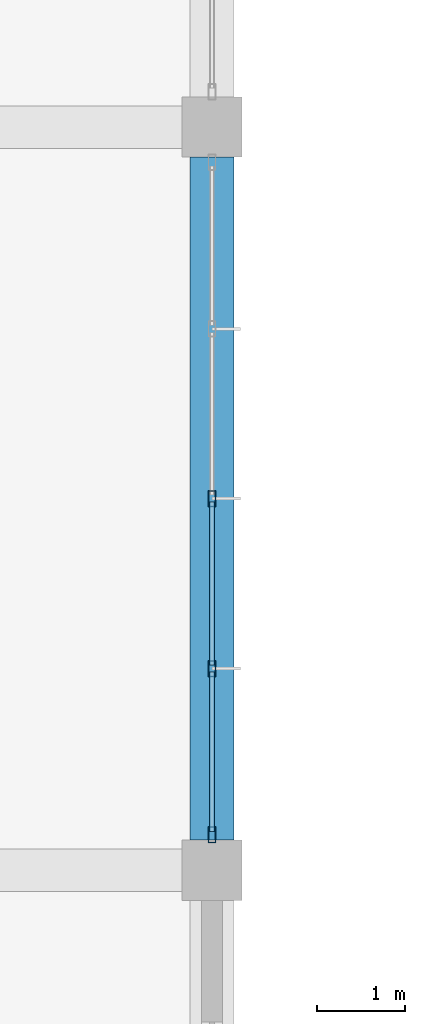
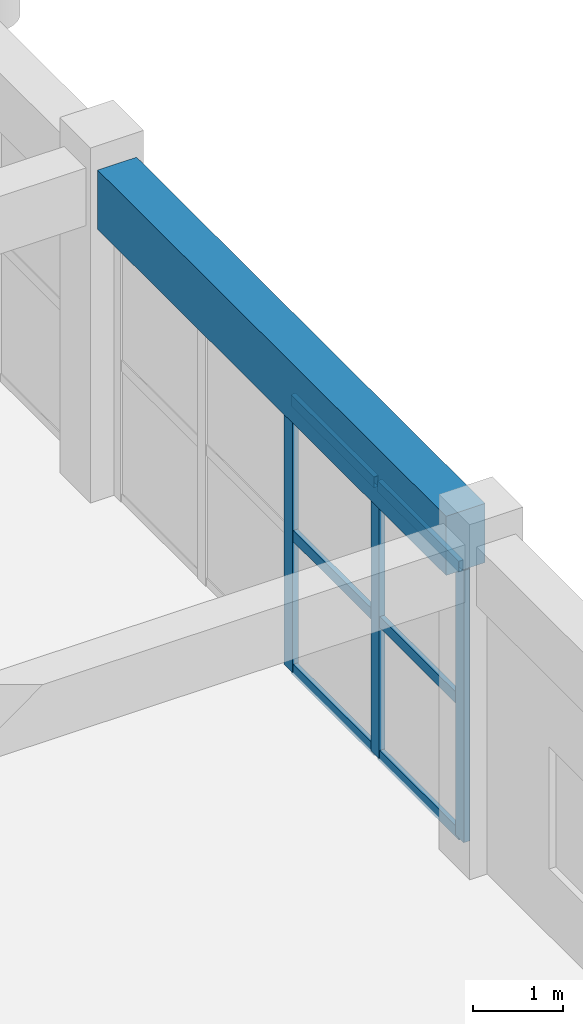
# One storey, part 98 of 175: 9 members, 1 beam, 1 element without a shape of its own.
"""IFC4 building model written with IfcOpenShell, lengths in metres."""

from ifc_helpers import new_model, si_unit, direction, frame, origin, origin_2d, place, context, subcontext, project, spatial, rectangle, hollow_rectangle, extrude, material, layer, layer_set, material_profile, profile_set, type_object, element, aggregate, save


model = new_model("IFC4")

# Units and contexts
model_context = context("Model", 3, precision=1e-05, world=origin(), true_north=direction((0.0, 1.0)))
body_context = subcontext(model_context, "Body", "Model", "MODEL_VIEW")
ifc_project = project(units=[si_unit("LENGTHUNIT", "METRE"), si_unit("AREAUNIT", "SQUARE_METRE"), si_unit("VOLUMEUNIT", "CUBIC_METRE"), si_unit("PLANEANGLEUNIT", "RADIAN"), si_unit("MASSUNIT", "GRAM", prefix="KILO")], contexts=[model_context])

# Site, building, storey
site_placement = place(None, origin())
site = spatial("IfcSite", under=ifc_project, at=site_placement, CompositionType="ELEMENT")
building_placement = place(site_placement, origin())
building = spatial("IfcBuilding", under=site, at=building_placement, Name="Zizhar Promenade General Hospital", CompositionType="ELEMENT")
storey_placement = place(building_placement, frame((0.0, 0.0, 4.800048828125)))
storey = spatial("IfcBuildingStorey", under=building, at=storey_placement, Name="L01", CompositionType="ELEMENT", Elevation=4.800048828125)

# Beam
ifc_material_1 = material(Name="Concrete C35/45", Category="concrete")
ifc_material_profile_1 = material_profile(ifc_material_1, rectangle(XDim=0.5, YDim=0.800048828125, at=origin_2d()))
ifc_profile_set_1 = profile_set([ifc_material_profile_1], Name="Concrete C35/45")
beam_type = type_object("IfcBeamType", Name="BM-RC-500x800", PredefinedType="BEAM", material=ifc_profile_set_1)
beam_placement = place(storey_placement, frame((195.0, 59.139892578125, 4.070068359375), z_axis=(0.0, 1.0, 0.0), x_axis=(-1.0, 0.0, 0.0)))
element("IfcBeam", 1, at=beam_placement, inside=storey, type_object=beam_type, Name="Grid Beam Y L01 (25-7)", PredefinedType="BEAM", context=body_context, shape_type="SweptSolid", body=[
    extrude(rectangle(XDim=0.5, YDim=0.800048828125, at=origin_2d()), origin(), (0.0, 0.0, 1.0), 7.72021484375),
])

# Curtain wall, members
ifc_material_2 = material(Name="Anodised aluminium 6063-T6 and low-E glass", Category="aluminium")
ifc_layer = layer(ifc_material_2, 0.159912109375)
ifc_layer_set = layer_set([ifc_layer], Name="Anodised aluminium 6063-T6 and low-E glass")
curtain_wall_type = type_object("IfcCurtainWallType", Name="CW-CLN-EXT", PredefinedType="NOTDEFINED", material=ifc_layer_set)
curtain_wall_placement = place(storey_placement, origin())
curtain_wall = element("IfcCurtainWall", 2, at=curtain_wall_placement, inside=storey, type_object=curtain_wall_type, Name="Outpatient East Curtain Wall L01-7", PredefinedType="NOTDEFINED")
ifc_material_3 = material(Name="Anodised aluminium 6063-T6", Category="aluminium")
ifc_material_profile_2 = material_profile(ifc_material_3, hollow_rectangle(XDim=0.080078125, YDim=0.179931640625, WallThickness=0.0048828125, at=origin_2d()))
ifc_profile_set_2 = profile_set([ifc_material_profile_2], Name="Anodised aluminium 6063-T6")
member_type_1 = type_object("IfcMemberType", Name="CWM-ALU-180x80", PredefinedType="MULLION", material=ifc_profile_set_2)
member_1_placement = place(storey_placement, frame((195.0, 63.0, 0.0), z_axis=(0.0, 0.0, 1.0), x_axis=(1.0, 0.0, 0.0)))
member_1 = element("IfcMember", 3, at=member_1_placement, type_object=member_type_1, Name="CW-09 mullion 3", PredefinedType="MULLION", context=body_context, shape_type="SweptSolid", body=[
    extrude(hollow_rectangle(XDim=0.080078125, YDim=0.179931640625, WallThickness=0.0048828125, at=origin_2d()), origin(), (0.0, 0.0, 1.0), 3.679931640625),
])
member_2_placement = place(storey_placement, frame((195.0, 61.080078125, 0.0), z_axis=(0.0, 0.0, 1.0), x_axis=(1.0, 0.0, 0.0)))
member_2 = element("IfcMember", 4, at=member_2_placement, type_object=member_type_1, Name="CW-09 mullion 4", PredefinedType="MULLION", context=body_context, shape_type="SweptSolid", body=[
    extrude(hollow_rectangle(XDim=0.080078125, YDim=0.179931640625, WallThickness=0.0048828125, at=origin_2d()), origin(), (0.0, 0.0, 1.0), 3.679931640625),
])
member_3_placement = place(storey_placement, frame((195.0, 59.199951171875, 0.0), z_axis=(0.0, 0.0, 1.0), x_axis=(1.0, 0.0, 0.0)))
member_3 = element("IfcMember", 5, at=member_3_placement, type_object=member_type_1, Name="CW-09 mullion 5", PredefinedType="MULLION", context=body_context, shape_type="SweptSolid", body=[
    extrude(hollow_rectangle(XDim=0.080078125, YDim=0.179931640625, WallThickness=0.0048828125, at=origin_2d()), origin(), (0.0, 0.0, 1.0), 3.679931640625),
])
ifc_material_4 = material(Name="Anodised aluminium 6063-T6", Category="aluminium")
ifc_material_profile_3 = material_profile(ifc_material_4, hollow_rectangle(XDim=0.06005859375, YDim=0.14990234375, WallThickness=0.00390625, at=origin_2d()))
ifc_profile_set_3 = profile_set([ifc_material_profile_3], Name="Anodised aluminium 6063-T6")
member_type_2 = type_object("IfcMemberType", Name="CWT-ALU-150x60", PredefinedType="USERDEFINED", material=ifc_profile_set_3)
member_4_placement = place(storey_placement, frame((195.0, 62.9599609375, 0.030029296875), z_axis=(0.0, -1.0, 0.0), x_axis=(1.0, 0.0, 0.0)))
member_4 = element("IfcMember", 6, at=member_4_placement, type_object=member_type_2, Name="CW-09 transom 3.1", ObjectType="TRANSOM", PredefinedType="USERDEFINED", context=body_context, shape_type="SweptSolid", body=[
    extrude(hollow_rectangle(XDim=0.06005859375, YDim=0.14990234375, WallThickness=0.00390625, at=origin_2d()), origin(), (0.0, 0.0, 1.0), 1.83984375),
])
member_5_placement = place(storey_placement, frame((195.0, 62.9599609375, 1.83984375), z_axis=(0.0, -1.0, 0.0), x_axis=(1.0, 0.0, 0.0)))
member_5 = element("IfcMember", 7, at=member_5_placement, type_object=member_type_2, Name="CW-09 transom 3.2", ObjectType="TRANSOM", PredefinedType="USERDEFINED", context=body_context, shape_type="SweptSolid", body=[
    extrude(hollow_rectangle(XDim=0.06005859375, YDim=0.14990234375, WallThickness=0.00390625, at=origin_2d()), origin(), (0.0, 0.0, 1.0), 1.83984375),
])
member_6_placement = place(storey_placement, frame((195.0, 62.9599609375, 3.64990234375), z_axis=(0.0, -1.0, 0.0), x_axis=(1.0, 0.0, 0.0)))
member_6 = element("IfcMember", 8, at=member_6_placement, type_object=member_type_2, Name="CW-09 transom 3.3", ObjectType="TRANSOM", PredefinedType="USERDEFINED", context=body_context, shape_type="SweptSolid", body=[
    extrude(hollow_rectangle(XDim=0.06005859375, YDim=0.14990234375, WallThickness=0.00390625, at=origin_2d()), origin(), (0.0, 0.0, 1.0), 1.83984375),
])
member_7_placement = place(storey_placement, frame((195.0, 61.0400390625, 0.030029296875), z_axis=(0.0, -1.0, 0.0), x_axis=(1.0, 0.0, 0.0)))
member_7 = element("IfcMember", 9, at=member_7_placement, type_object=member_type_2, Name="CW-09 transom 4.1", ObjectType="TRANSOM", PredefinedType="USERDEFINED", context=body_context, shape_type="SweptSolid", body=[
    extrude(hollow_rectangle(XDim=0.06005859375, YDim=0.14990234375, WallThickness=0.00390625, at=origin_2d()), origin(), (0.0, 0.0, 1.0), 1.800048828125),
])
member_8_placement = place(storey_placement, frame((195.0, 61.0400390625, 1.83984375), z_axis=(0.0, -1.0, 0.0), x_axis=(1.0, 0.0, 0.0)))
member_8 = element("IfcMember", 10, at=member_8_placement, type_object=member_type_2, Name="CW-09 transom 4.2", ObjectType="TRANSOM", PredefinedType="USERDEFINED", context=body_context, shape_type="SweptSolid", body=[
    extrude(hollow_rectangle(XDim=0.06005859375, YDim=0.14990234375, WallThickness=0.00390625, at=origin_2d()), origin(), (0.0, 0.0, 1.0), 1.800048828125),
])
member_9_placement = place(storey_placement, frame((195.0, 61.0400390625, 3.64990234375), z_axis=(0.0, -1.0, 0.0), x_axis=(1.0, 0.0, 0.0)))
member_9 = element("IfcMember", 11, at=member_9_placement, type_object=member_type_2, Name="CW-09 transom 4.3", ObjectType="TRANSOM", PredefinedType="USERDEFINED", context=body_context, shape_type="SweptSolid", body=[
    extrude(hollow_rectangle(XDim=0.06005859375, YDim=0.14990234375, WallThickness=0.00390625, at=origin_2d()), origin(), (0.0, 0.0, 1.0), 1.800048828125),
])
aggregate(curtain_wall, [member_1, member_2, member_3, member_4, member_5, member_6, member_7, member_8, member_9])

save(model, "model.ifc")
